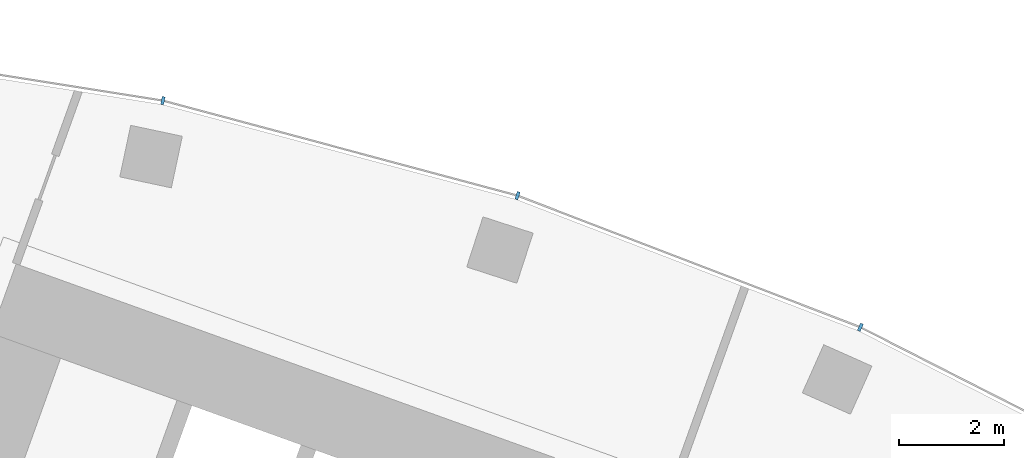
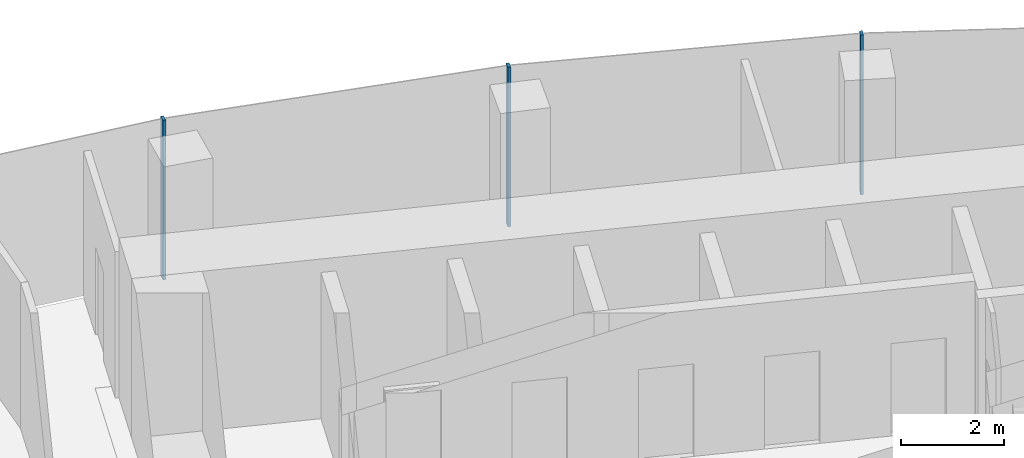
# One storey, part 10 of 20: 3 members, 1 element without a shape of its own.
"""IFC4 building model written with IfcOpenShell, lengths in metres."""

from ifc_helpers import new_model, si_unit, direction, frame, origin, origin_2d, place, context, subcontext, project, spatial, rectangle, extrude, material, layer, layer_set, material_profile, profile_set, type_object, element, aggregate, save


model = new_model("IFC4")

# Units and contexts
model_context = context("Model", 3, precision=1e-05, world=origin(), true_north=direction((0.0, 1.0)))
body_context = subcontext(model_context, "Body", "Model", "MODEL_VIEW")
ifc_project = project(units=[si_unit("LENGTHUNIT", "METRE"), si_unit("AREAUNIT", "SQUARE_METRE"), si_unit("VOLUMEUNIT", "CUBIC_METRE"), si_unit("PLANEANGLEUNIT", "RADIAN"), si_unit("MASSUNIT", "GRAM", prefix="KILO")], contexts=[model_context])

# Site, building, storey
site_placement = place(None, origin())
site = spatial("IfcSite", under=ifc_project, at=site_placement, CompositionType="ELEMENT")
building_placement = place(site_placement, origin())
building = spatial("IfcBuilding", under=site, at=building_placement, Name="Stone Belt Terrace Tower", CompositionType="ELEMENT")
storey_placement = place(building_placement, frame((0.0, 0.0, 174.39990234375)))
storey = spatial("IfcBuildingStorey", under=building, at=storey_placement, Name="L42", CompositionType="ELEMENT", Elevation=174.39990234375)

# Curtain wall, members
ifc_material = material(Name="Aluminium 6063-T6 anodised frame", Category="aluminium")
ifc_layer = layer(ifc_material, 0.14990234375)
ifc_layer_set = layer_set([ifc_layer], Name="CW-A unitised convex-face curtain wall")
curtain_wall_type = type_object("IfcCurtainWallType", Name="CW-A unitised convex-face curtain wall", PredefinedType="NOTDEFINED", material=ifc_layer_set)
curtain_wall_placement = place(storey_placement, origin())
curtain_wall = element("IfcCurtainWall", 1, at=curtain_wall_placement, inside=storey, type_object=curtain_wall_type, Name="CW-A convex face L42", PredefinedType="NOTDEFINED")
ifc_material_profile = material_profile(ifc_material, rectangle(XDim=0.14990234375, YDim=0.06005859375, at=origin_2d()), Name="Aluminium 6063-T6 60x150")
ifc_profile_set = profile_set([ifc_material_profile], Name="Aluminium 6063-T6 anodised frame")
member_type = type_object("IfcMemberType", Name="CW-A mullion 60 x 150", PredefinedType="MULLION", material=ifc_profile_set)
member_1_placement = place(storey_placement, frame((27.07861328125, 60.8193359375, 0.0), z_axis=(0.0, 0.0, 1.0), x_axis=(-0.406736643076, -0.913545457643, 0.0)))
member_1 = element("IfcMember", 2, at=member_1_placement, type_object=member_type, Name="CW-A mullion 4", PredefinedType="MULLION", context=body_context, shape_type="SweptSolid", body=[
    extrude(rectangle(XDim=0.14990234375, YDim=0.06005859375, at=origin_2d()), origin(), (0.0, 0.0, 1.0), 3.800048828125),
])
member_2_placement = place(storey_placement, frame((20.57275390625, 63.316650390625, 0.0), z_axis=(0.0, 0.0, 1.0), x_axis=(-0.309016994375, -0.951056516295, 0.0)))
member_2 = element("IfcMember", 3, at=member_2_placement, type_object=member_type, Name="CW-A mullion 5", PredefinedType="MULLION", context=body_context, shape_type="SweptSolid", body=[
    extrude(rectangle(XDim=0.14990234375, YDim=0.06005859375, at=origin_2d()), origin(), (0.0, 0.0, 1.0), 3.800048828125),
])
member_3_placement = place(storey_placement, frame((13.841796875, 65.120361328125, 0.0), z_axis=(0.0, 0.0, 1.0), x_axis=(-0.207911690818, -0.978147600734, 0.0)))
member_3 = element("IfcMember", 4, at=member_3_placement, type_object=member_type, Name="CW-A mullion 6", PredefinedType="MULLION", context=body_context, shape_type="SweptSolid", body=[
    extrude(rectangle(XDim=0.14990234375, YDim=0.06005859375, at=origin_2d()), origin(), (0.0, 0.0, 1.0), 3.800048828125),
])
aggregate(curtain_wall, [member_1, member_2, member_3])

save(model, "model.ifc")
